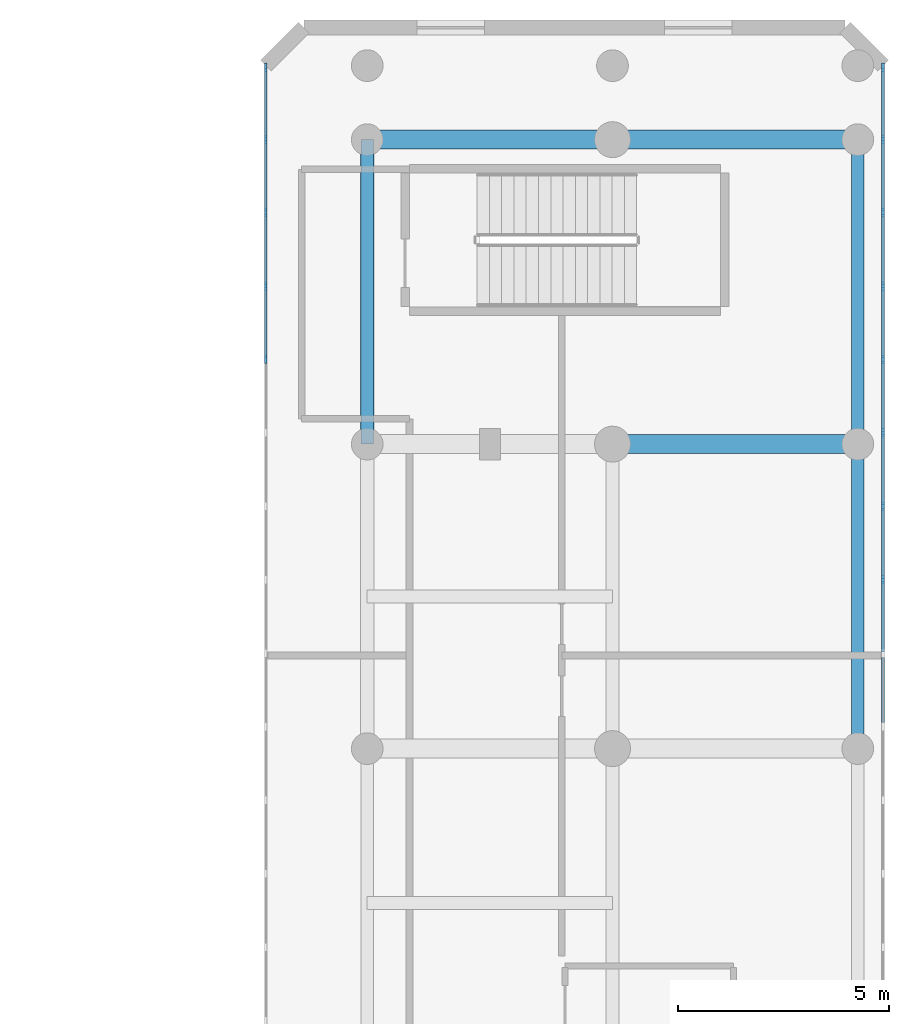
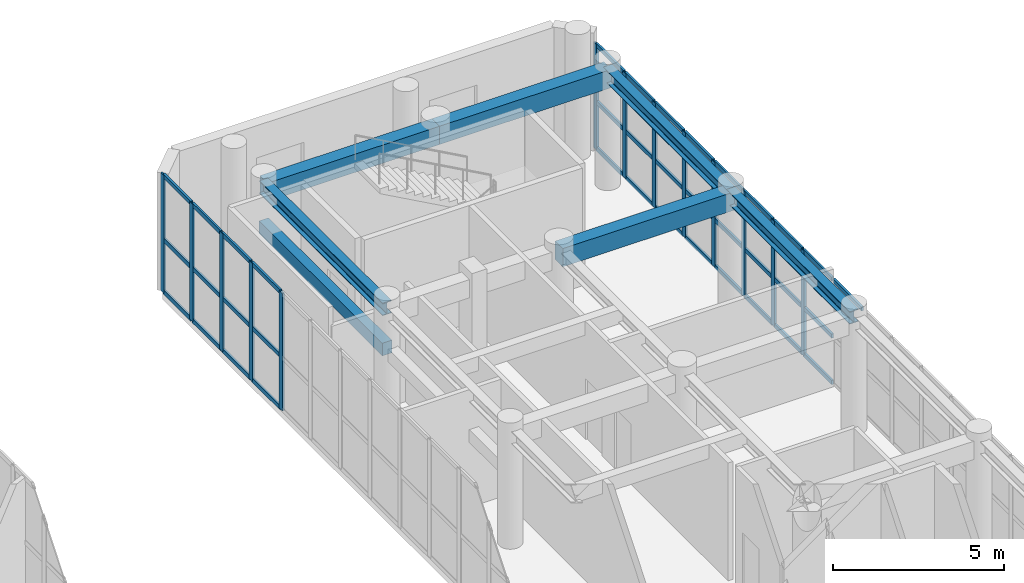
# One storey, part 9 of 26: 50 members, 7 beams, 2 elements without a shape of their own.
"""IFC4 building model written with IfcOpenShell, lengths in metres."""

from ifc_helpers import new_model, si_unit, direction, frame, origin, origin_with_axes, origin_2d, place, context, subcontext, project, spatial, rectangle, i_section, extrude, source, transform, mapped, material, layer, layer_set, material_profile, profile_set, type_object, element, aggregate, save


model = new_model("IFC4")

# Units and contexts
model_context = context("Model", 3, precision=1e-05, world=origin(), true_north=direction((0.0, 1.0)))
body_context = subcontext(model_context, "Body", "Model", "MODEL_VIEW")
ifc_project = project(units=[si_unit("LENGTHUNIT", "METRE"), si_unit("AREAUNIT", "SQUARE_METRE"), si_unit("VOLUMEUNIT", "CUBIC_METRE"), si_unit("PLANEANGLEUNIT", "RADIAN"), si_unit("MASSUNIT", "GRAM", prefix="KILO")], contexts=[model_context])

# Site, building, storey
site_placement = place(None, origin())
site = spatial("IfcSite", under=ifc_project, at=site_placement, CompositionType="ELEMENT")
building_placement = place(site_placement, origin())
building = spatial("IfcBuilding", under=site, at=building_placement, Name="Karkom Vertical University and Central Library", CompositionType="ELEMENT")
storey_placement = place(building_placement, frame((0.0, 0.0, 9.0)))
storey = spatial("IfcBuildingStorey", under=building, at=storey_placement, Name="L02", CompositionType="ELEMENT", Elevation=9.0)

# Beams
ifc_material_1 = material(Name="Concrete C40/50", Category="concrete")
ifc_material_profile_1 = material_profile(ifc_material_1, rectangle(XDim=0.449951171875, YDim=0.64990234375, at=origin_2d()), Name="RCB-450x650")
ifc_profile_set_1 = profile_set([ifc_material_profile_1], Name="Concrete C40/50")
beam_type_1 = type_object("IfcBeamType", Name="STR-BM-BG-4", PredefinedType="USERDEFINED", material=ifc_profile_set_1)
shared_shape_1 = source(origin_with_axes(), body_context, "Body", "SweptSolid", [
    extrude(rectangle(XDim=0.449951171875, YDim=0.64990234375, at=origin_2d()), origin(), (0.0, 0.0, 1.0), 5.7998046875),
])
beam_1_placement = place(storey_placement, frame((69.60009765625, 48.199951171875, 3.875), z_axis=(1.0, 0.0, 0.0), x_axis=(0.0, 1.0, 0.0)))
element("IfcBeam", 1, at=beam_1_placement, inside=storey, type_object=beam_type_1, Name="Level 02 Library Transverse Girder 7.1", ObjectType="GIRDER", PredefinedType="USERDEFINED", context=body_context, shape_type="MappedRepresentation", body=[
    mapped(shared_shape_1, transform((0.0, 0.0, 0.0), scale=1.0)),
])
shared_shape_2 = source(origin_with_axes(), body_context, "Body", "SweptSolid", [
    extrude(rectangle(XDim=0.449951171875, YDim=0.64990234375, at=origin_2d()), origin(), (0.0, 0.0, 1.0), 5.800048828125),
])
for number, where, z_axis, x_axis, name in (
    (2, (75.39990234375, 41.0, 3.875), (1.0, 0.0, 0.0), (0.0, 1.0, 0.0), "Level 02 Library Transverse Girder 6.2"),
    (3, (75.39990234375, 48.199951171875, 3.875), (1.0, 0.0, 0.0), (0.0, 1.0, 0.0), "Level 02 Library Transverse Girder 7.2"),
):
    element("IfcBeam", number, at=place(storey_placement, frame(where, z_axis=z_axis, x_axis=x_axis)), inside=storey, type_object=beam_type_1, Name=name, ObjectType="GIRDER", PredefinedType="USERDEFINED", context=body_context, shape_type="MappedRepresentation", body=[
        mapped(shared_shape_2, transform((0.0, 0.0, 0.0), scale=1.0)),
    ])
ifc_material_2 = material(Name="Steel S355", Category="steel")
ifc_material_profile_2 = material_profile(ifc_material_2, i_section(OverallWidth=0.300048828125, OverallDepth=0.449951171875, WebThickness=0.013916015625, FlangeThickness=0.02587890625, FilletRadius=0.027099609375, at=origin_2d()), Name="HE 450 B")
ifc_profile_set_2 = profile_set([ifc_material_profile_2], Name="Steel S355")
beam_type_2 = type_object("IfcBeamType", Name="STR-BM-SB-HE450", PredefinedType="BEAM", material=ifc_profile_set_2)
shared_shape_3 = source(origin_with_axes(), body_context, "Body", "SweptSolid", [
    extrude(i_section(OverallWidth=0.300048828125, OverallDepth=0.449951171875, WebThickness=0.013916015625, FlangeThickness=0.02587890625, FilletRadius=0.027099609375, at=origin_2d()), origin(), (0.0, 0.0, 1.0), 7.199951171875),
])
for number, where, z_axis, x_axis, name in (
    (4, (69.60009765625, 41.0, 3.97509765625), (0.0, 1.0, 0.0), (-1.0, 0.0, 0.0), "Level 02 Library Longitudinal Beam 1.6"),
    (5, (81.199951171875, 33.800048828125, 3.97509765625), (0.0, 1.0, 0.0), (-1.0, 0.0, 0.0), "Level 02 Library Longitudinal Beam 3.5"),
    (6, (81.199951171875, 41.0, 3.97509765625), (0.0, 1.0, 0.0), (-1.0, 0.0, 0.0), "Level 02 Library Longitudinal Beam 3.6"),
):
    element("IfcBeam", number, at=place(storey_placement, frame(where, z_axis=z_axis, x_axis=x_axis)), inside=storey, type_object=beam_type_2, Name=name, PredefinedType="BEAM", context=body_context, shape_type="MappedRepresentation", body=[
        mapped(shared_shape_3, transform((0.0, 0.0, 0.0), scale=1.0)),
    ])
ifc_material_3 = material(Name="Precast concrete C45/55", Category="concrete")
ifc_material_profile_3 = material_profile(ifc_material_3, rectangle(XDim=0.320068359375, YDim=0.449951171875, at=origin_2d()), Name="RCL-320x450")
ifc_profile_set_3 = profile_set([ifc_material_profile_3], Name="Precast concrete C45/55")
beam_type_3 = type_object("IfcBeamType", Name="STR-BM-LN-1", PredefinedType="LINTEL", material=ifc_profile_set_3)
shared_shape_4 = source(origin_with_axes(), body_context, "Body", "SweptSolid", [
    extrude(rectangle(XDim=0.320068359375, YDim=0.449951171875, at=origin_2d()), origin(), (0.0, 0.0, 1.0), 7.199951171875),
])
beam_2_placement = place(storey_placement, frame((69.60009765625, 41.0, 2.550048828125), z_axis=(0.0, 1.0, 0.0), x_axis=(-1.0, 0.0, 0.0)))
element("IfcBeam", 7, at=beam_2_placement, inside=storey, type_object=beam_type_3, Name="Level 02 Brutalist Concrete Portal Lintel 4", PredefinedType="LINTEL", context=body_context, shape_type="MappedRepresentation", body=[
    mapped(shared_shape_4, transform((0.0, 0.0, 0.0), scale=1.0)),
])

# Curtain wall, members
ifc_material_4 = material(Name="Aluminium curtain-wall framing and low-E IGU", Category="aluminium")
ifc_layer = layer(ifc_material_4, 0.199951171875)
ifc_layer_set = layer_set([ifc_layer], Name="Aluminium curtain-wall framing and low-E IGU")
curtain_wall_type = type_object("IfcCurtainWallType", Name="ENV-CW-1", PredefinedType="USERDEFINED", material=ifc_layer_set)
curtain_wall_1_placement = place(storey_placement, origin())
curtain_wall_1 = element("IfcCurtainWall", 8, at=curtain_wall_1_placement, inside=storey, type_object=curtain_wall_type, Name="Level 02 CW-1 Curtain Wall Level 02-CW-1-LIB-3", ObjectType="STICK MULLION GLAZING", PredefinedType="USERDEFINED")
ifc_material_5 = material(Name="Anodised Aluminium 6063-T6", Category="aluminium")
ifc_material_profile_4 = material_profile(ifc_material_5, rectangle(XDim=0.070068359375, YDim=0.199951171875, at=origin_2d()), Name="ALU-M70x200")
ifc_profile_set_4 = profile_set([ifc_material_profile_4], Name="Anodised Aluminium 6063-T6")
member_type_1 = type_object("IfcMemberType", Name="ENV-MEM-ALU-M70x200", PredefinedType="MULLION", material=ifc_profile_set_4)
shared_shape_5 = source(origin_with_axes(), body_context, "Body", "SweptSolid", [
    extrude(rectangle(XDim=0.070068359375, YDim=0.199951171875, at=origin_2d()), origin(), (0.0, 0.0, 1.0), 3.75),
])
member_1_placement = place(storey_placement, frame((81.800048828125, 37.790771484375, 0.0), z_axis=(0.0, 0.0, 1.0), x_axis=(-1.0, 0.0, 0.0)))
member_1 = element("IfcMember", 9, at=member_1_placement, type_object=member_type_1, Name="CW-1 mullion 21", PredefinedType="MULLION", context=body_context, shape_type="MappedRepresentation", body=[
    mapped(shared_shape_5, transform((0.0, 0.0, 0.0), scale=1.0)),
])
member_2_placement = place(storey_placement, frame((81.800048828125, 39.52783203125, 0.0), z_axis=(0.0, 0.0, 1.0), x_axis=(-1.0, 0.0, 0.0)))
member_2 = element("IfcMember", 10, at=member_2_placement, type_object=member_type_1, Name="CW-1 mullion 22", PredefinedType="MULLION", context=body_context, shape_type="MappedRepresentation", body=[
    mapped(shared_shape_5, transform((0.0, 0.0, 0.0), scale=1.0)),
])
member_3_placement = place(storey_placement, frame((81.800048828125, 41.264892578125, 0.0), z_axis=(0.0, 0.0, 1.0), x_axis=(-1.0, 0.0, 0.0)))
member_3 = element("IfcMember", 11, at=member_3_placement, type_object=member_type_1, Name="CW-1 mullion 23", PredefinedType="MULLION", context=body_context, shape_type="MappedRepresentation", body=[
    mapped(shared_shape_5, transform((0.0, 0.0, 0.0), scale=1.0)),
])
member_4_placement = place(storey_placement, frame((81.800048828125, 43.001953125, 0.0), z_axis=(0.0, 0.0, 1.0), x_axis=(-1.0, 0.0, 0.0)))
member_4 = element("IfcMember", 12, at=member_4_placement, type_object=member_type_1, Name="CW-1 mullion 24", PredefinedType="MULLION", context=body_context, shape_type="MappedRepresentation", body=[
    mapped(shared_shape_5, transform((0.0, 0.0, 0.0), scale=1.0)),
])
member_5_placement = place(storey_placement, frame((81.800048828125, 44.73876953125, 0.0), z_axis=(0.0, 0.0, 1.0), x_axis=(-1.0, 0.0, 0.0)))
member_5 = element("IfcMember", 13, at=member_5_placement, type_object=member_type_1, Name="CW-1 mullion 25", PredefinedType="MULLION", context=body_context, shape_type="MappedRepresentation", body=[
    mapped(shared_shape_5, transform((0.0, 0.0, 0.0), scale=1.0)),
])
member_6_placement = place(storey_placement, frame((81.800048828125, 46.475830078125, 0.0), z_axis=(0.0, 0.0, 1.0), x_axis=(-1.0, 0.0, 0.0)))
member_6 = element("IfcMember", 14, at=member_6_placement, type_object=member_type_1, Name="CW-1 mullion 26", PredefinedType="MULLION", context=body_context, shape_type="MappedRepresentation", body=[
    mapped(shared_shape_5, transform((0.0, 0.0, 0.0), scale=1.0)),
])
member_7_placement = place(storey_placement, frame((81.800048828125, 48.212890625, 0.0), z_axis=(0.0, 0.0, 1.0), x_axis=(-1.0, 0.0, 0.0)))
member_7 = element("IfcMember", 15, at=member_7_placement, type_object=member_type_1, Name="CW-1 mullion 27", PredefinedType="MULLION", context=body_context, shape_type="MappedRepresentation", body=[
    mapped(shared_shape_5, transform((0.0, 0.0, 0.0), scale=1.0)),
])
member_8_placement = place(storey_placement, frame((81.800048828125, 49.9150390625, 0.0), z_axis=(0.0, 0.0, 1.0), x_axis=(-1.0, 0.0, 0.0)))
member_8 = element("IfcMember", 16, at=member_8_placement, type_object=member_type_1, Name="CW-1 mullion 28", PredefinedType="MULLION", context=body_context, shape_type="MappedRepresentation", body=[
    mapped(shared_shape_5, transform((0.0, 0.0, 0.0), scale=1.0)),
])

curtain_wall_2_placement = place(storey_placement, origin())
curtain_wall_2 = element("IfcCurtainWall", 17, at=curtain_wall_2_placement, inside=storey, type_object=curtain_wall_type, Name="Level 02 CW-1 Curtain Wall Level 02-CW-1-LIB-7", ObjectType="STICK MULLION GLAZING", PredefinedType="USERDEFINED")
shared_shape_6 = source(origin_with_axes(), body_context, "Body", "SweptSolid", [
    extrude(rectangle(XDim=0.070068359375, YDim=0.199951171875, at=origin_2d()), origin(), (0.0, 0.0, 1.0), 4.199951171875),
])
member_9_placement = place(storey_placement, frame((67.199951171875, 49.9150390625, 0.0), z_axis=(0.0, 0.0, 1.0), x_axis=(1.0, 0.0, 0.0)))
member_9 = element("IfcMember", 18, at=member_9_placement, type_object=member_type_1, Name="CW-1 mullion 1", PredefinedType="MULLION", context=body_context, shape_type="MappedRepresentation", body=[
    mapped(shared_shape_6, transform((0.0, 0.0, 0.0), scale=1.0)),
])
member_10_placement = place(storey_placement, frame((67.199951171875, 48.212890625, 0.0), z_axis=(0.0, 0.0, 1.0), x_axis=(1.0, 0.0, 0.0)))
member_10 = element("IfcMember", 19, at=member_10_placement, type_object=member_type_1, Name="CW-1 mullion 2", PredefinedType="MULLION", context=body_context, shape_type="MappedRepresentation", body=[
    mapped(shared_shape_6, transform((0.0, 0.0, 0.0), scale=1.0)),
])
member_11_placement = place(storey_placement, frame((67.199951171875, 46.475830078125, 0.0), z_axis=(0.0, 0.0, 1.0), x_axis=(1.0, 0.0, 0.0)))
member_11 = element("IfcMember", 20, at=member_11_placement, type_object=member_type_1, Name="CW-1 mullion 3", PredefinedType="MULLION", context=body_context, shape_type="MappedRepresentation", body=[
    mapped(shared_shape_6, transform((0.0, 0.0, 0.0), scale=1.0)),
])
member_12_placement = place(storey_placement, frame((67.199951171875, 44.73876953125, 0.0), z_axis=(0.0, 0.0, 1.0), x_axis=(1.0, 0.0, 0.0)))
member_12 = element("IfcMember", 21, at=member_12_placement, type_object=member_type_1, Name="CW-1 mullion 4", PredefinedType="MULLION", context=body_context, shape_type="MappedRepresentation", body=[
    mapped(shared_shape_6, transform((0.0, 0.0, 0.0), scale=1.0)),
])
member_13_placement = place(storey_placement, frame((67.199951171875, 43.001953125, 0.0), z_axis=(0.0, 0.0, 1.0), x_axis=(1.0, 0.0, 0.0)))
member_13 = element("IfcMember", 22, at=member_13_placement, type_object=member_type_1, Name="CW-1 mullion 5", PredefinedType="MULLION", context=body_context, shape_type="MappedRepresentation", body=[
    mapped(shared_shape_6, transform((0.0, 0.0, 0.0), scale=1.0)),
])

# Member
ifc_material_profile_5 = material_profile(ifc_material_5, rectangle(XDim=0.070068359375, YDim=0.14990234375, at=origin_2d()), Name="ALU-T70x150")
ifc_profile_set_5 = profile_set([ifc_material_profile_5], Name="Anodised Aluminium 6063-T6")
member_type_2 = type_object("IfcMemberType", Name="ENV-MEM-ALU-T70x150", PredefinedType="USERDEFINED", material=ifc_profile_set_5)
shared_shape_7 = source(origin_with_axes(), body_context, "Body", "SweptSolid", [
    extrude(rectangle(XDim=0.070068359375, YDim=0.14990234375, at=origin_2d()), origin(), (0.0, 0.0, 1.0), 1.6318359375),
])
member_14_placement = place(storey_placement, frame((81.800048828125, 48.248046875, 0.034912109375), z_axis=(0.0, 1.0, 0.0), x_axis=(-1.0, 0.0, 0.0)))
member_14 = element("IfcMember", 23, at=member_14_placement, type_object=member_type_2, Name="CW-1 transom 27.1", ObjectType="TRANSOM", PredefinedType="USERDEFINED", context=body_context, shape_type="MappedRepresentation", body=[
    mapped(shared_shape_7, transform((0.0, 0.0, 0.0), scale=1.0)),
])

member_15_placement = place(storey_placement, frame((81.800048828125, 48.248046875, 1.6875), z_axis=(0.0, 1.0, 0.0), x_axis=(-1.0, 0.0, 0.0)))
member_15 = element("IfcMember", 24, at=member_15_placement, type_object=member_type_2, Name="CW-1 transom 27.2", ObjectType="TRANSOM", PredefinedType="USERDEFINED", context=body_context, shape_type="MappedRepresentation", body=[
    mapped(shared_shape_7, transform((0.0, 0.0, 0.0), scale=1.0)),
])

member_16_placement = place(storey_placement, frame((81.800048828125, 48.248046875, 3.715087890625), z_axis=(0.0, 1.0, 0.0), x_axis=(-1.0, 0.0, 0.0)))
member_16 = element("IfcMember", 25, at=member_16_placement, type_object=member_type_2, Name="CW-1 transom 27.3", ObjectType="TRANSOM", PredefinedType="USERDEFINED", context=body_context, shape_type="MappedRepresentation", body=[
    mapped(shared_shape_7, transform((0.0, 0.0, 0.0), scale=1.0)),
])

member_17_placement = place(storey_placement, frame((67.199951171875, 49.8798828125, 0.034912109375), z_axis=(0.0, -1.0, 0.0), x_axis=(1.0, 0.0, 0.0)))
member_17 = element("IfcMember", 26, at=member_17_placement, type_object=member_type_2, Name="CW-1 transom 1.1", ObjectType="TRANSOM", PredefinedType="USERDEFINED", context=body_context, shape_type="MappedRepresentation", body=[
    mapped(shared_shape_7, transform((0.0, 0.0, 0.0), scale=1.0)),
])

member_18_placement = place(storey_placement, frame((67.199951171875, 49.8798828125, 1.889892578125), z_axis=(0.0, -1.0, 0.0), x_axis=(1.0, 0.0, 0.0)))
member_18 = element("IfcMember", 27, at=member_18_placement, type_object=member_type_2, Name="CW-1 transom 1.2", ObjectType="TRANSOM", PredefinedType="USERDEFINED", context=body_context, shape_type="MappedRepresentation", body=[
    mapped(shared_shape_7, transform((0.0, 0.0, 0.0), scale=1.0)),
])

member_19_placement = place(storey_placement, frame((67.199951171875, 49.8798828125, 4.1650390625), z_axis=(0.0, -1.0, 0.0), x_axis=(1.0, 0.0, 0.0)))
member_19 = element("IfcMember", 28, at=member_19_placement, type_object=member_type_2, Name="CW-1 transom 1.3", ObjectType="TRANSOM", PredefinedType="USERDEFINED", context=body_context, shape_type="MappedRepresentation", body=[
    mapped(shared_shape_7, transform((0.0, 0.0, 0.0), scale=1.0)),
])

shared_shape_8 = source(origin_with_axes(), body_context, "Body", "SweptSolid", [
    extrude(rectangle(XDim=0.070068359375, YDim=0.14990234375, at=origin_2d()), origin(), (0.0, 0.0, 1.0), 1.6669921875),
])
member_20_placement = place(storey_placement, frame((81.800048828125, 37.82568359375, 0.034912109375), z_axis=(0.0, 1.0, 0.0), x_axis=(-1.0, 0.0, 0.0)))
member_20 = element("IfcMember", 29, at=member_20_placement, type_object=member_type_2, Name="CW-1 transom 21.1", ObjectType="TRANSOM", PredefinedType="USERDEFINED", context=body_context, shape_type="MappedRepresentation", body=[
    mapped(shared_shape_8, transform((0.0, 0.0, 0.0), scale=1.0)),
])

member_21_placement = place(storey_placement, frame((81.800048828125, 37.82568359375, 1.6875), z_axis=(0.0, 1.0, 0.0), x_axis=(-1.0, 0.0, 0.0)))
member_21 = element("IfcMember", 30, at=member_21_placement, type_object=member_type_2, Name="CW-1 transom 21.2", ObjectType="TRANSOM", PredefinedType="USERDEFINED", context=body_context, shape_type="MappedRepresentation", body=[
    mapped(shared_shape_8, transform((0.0, 0.0, 0.0), scale=1.0)),
])

member_22_placement = place(storey_placement, frame((81.800048828125, 37.82568359375, 3.715087890625), z_axis=(0.0, 1.0, 0.0), x_axis=(-1.0, 0.0, 0.0)))
member_22 = element("IfcMember", 31, at=member_22_placement, type_object=member_type_2, Name="CW-1 transom 21.3", ObjectType="TRANSOM", PredefinedType="USERDEFINED", context=body_context, shape_type="MappedRepresentation", body=[
    mapped(shared_shape_8, transform((0.0, 0.0, 0.0), scale=1.0)),
])

member_23_placement = place(storey_placement, frame((81.800048828125, 39.562744140625, 0.034912109375), z_axis=(0.0, 1.0, 0.0), x_axis=(-1.0, 0.0, 0.0)))
member_23 = element("IfcMember", 32, at=member_23_placement, type_object=member_type_2, Name="CW-1 transom 22.1", ObjectType="TRANSOM", PredefinedType="USERDEFINED", context=body_context, shape_type="MappedRepresentation", body=[
    mapped(shared_shape_8, transform((0.0, 0.0, 0.0), scale=1.0)),
])

member_24_placement = place(storey_placement, frame((81.800048828125, 39.562744140625, 1.6875), z_axis=(0.0, 1.0, 0.0), x_axis=(-1.0, 0.0, 0.0)))
member_24 = element("IfcMember", 33, at=member_24_placement, type_object=member_type_2, Name="CW-1 transom 22.2", ObjectType="TRANSOM", PredefinedType="USERDEFINED", context=body_context, shape_type="MappedRepresentation", body=[
    mapped(shared_shape_8, transform((0.0, 0.0, 0.0), scale=1.0)),
])

member_25_placement = place(storey_placement, frame((81.800048828125, 39.562744140625, 3.715087890625), z_axis=(0.0, 1.0, 0.0), x_axis=(-1.0, 0.0, 0.0)))
member_25 = element("IfcMember", 34, at=member_25_placement, type_object=member_type_2, Name="CW-1 transom 22.3", ObjectType="TRANSOM", PredefinedType="USERDEFINED", context=body_context, shape_type="MappedRepresentation", body=[
    mapped(shared_shape_8, transform((0.0, 0.0, 0.0), scale=1.0)),
])

member_26_placement = place(storey_placement, frame((81.800048828125, 41.2998046875, 0.034912109375), z_axis=(0.0, 1.0, 0.0), x_axis=(-1.0, 0.0, 0.0)))
member_26 = element("IfcMember", 35, at=member_26_placement, type_object=member_type_2, Name="CW-1 transom 23.1", ObjectType="TRANSOM", PredefinedType="USERDEFINED", context=body_context, shape_type="MappedRepresentation", body=[
    mapped(shared_shape_8, transform((0.0, 0.0, 0.0), scale=1.0)),
])

member_27_placement = place(storey_placement, frame((81.800048828125, 41.2998046875, 1.6875), z_axis=(0.0, 1.0, 0.0), x_axis=(-1.0, 0.0, 0.0)))
member_27 = element("IfcMember", 36, at=member_27_placement, type_object=member_type_2, Name="CW-1 transom 23.2", ObjectType="TRANSOM", PredefinedType="USERDEFINED", context=body_context, shape_type="MappedRepresentation", body=[
    mapped(shared_shape_8, transform((0.0, 0.0, 0.0), scale=1.0)),
])

member_28_placement = place(storey_placement, frame((81.800048828125, 41.2998046875, 3.715087890625), z_axis=(0.0, 1.0, 0.0), x_axis=(-1.0, 0.0, 0.0)))
member_28 = element("IfcMember", 37, at=member_28_placement, type_object=member_type_2, Name="CW-1 transom 23.3", ObjectType="TRANSOM", PredefinedType="USERDEFINED", context=body_context, shape_type="MappedRepresentation", body=[
    mapped(shared_shape_8, transform((0.0, 0.0, 0.0), scale=1.0)),
])

member_29_placement = place(storey_placement, frame((81.800048828125, 43.036865234375, 0.034912109375), z_axis=(0.0, 1.0, 0.0), x_axis=(-1.0, 0.0, 0.0)))
member_29 = element("IfcMember", 38, at=member_29_placement, type_object=member_type_2, Name="CW-1 transom 24.1", ObjectType="TRANSOM", PredefinedType="USERDEFINED", context=body_context, shape_type="MappedRepresentation", body=[
    mapped(shared_shape_8, transform((0.0, 0.0, 0.0), scale=1.0)),
])

member_30_placement = place(storey_placement, frame((81.800048828125, 43.036865234375, 1.6875), z_axis=(0.0, 1.0, 0.0), x_axis=(-1.0, 0.0, 0.0)))
member_30 = element("IfcMember", 39, at=member_30_placement, type_object=member_type_2, Name="CW-1 transom 24.2", ObjectType="TRANSOM", PredefinedType="USERDEFINED", context=body_context, shape_type="MappedRepresentation", body=[
    mapped(shared_shape_8, transform((0.0, 0.0, 0.0), scale=1.0)),
])

member_31_placement = place(storey_placement, frame((81.800048828125, 43.036865234375, 3.715087890625), z_axis=(0.0, 1.0, 0.0), x_axis=(-1.0, 0.0, 0.0)))
member_31 = element("IfcMember", 40, at=member_31_placement, type_object=member_type_2, Name="CW-1 transom 24.3", ObjectType="TRANSOM", PredefinedType="USERDEFINED", context=body_context, shape_type="MappedRepresentation", body=[
    mapped(shared_shape_8, transform((0.0, 0.0, 0.0), scale=1.0)),
])

member_32_placement = place(storey_placement, frame((81.800048828125, 44.77392578125, 0.034912109375), z_axis=(0.0, 1.0, 0.0), x_axis=(-1.0, 0.0, 0.0)))
member_32 = element("IfcMember", 41, at=member_32_placement, type_object=member_type_2, Name="CW-1 transom 25.1", ObjectType="TRANSOM", PredefinedType="USERDEFINED", context=body_context, shape_type="MappedRepresentation", body=[
    mapped(shared_shape_8, transform((0.0, 0.0, 0.0), scale=1.0)),
])

member_33_placement = place(storey_placement, frame((81.800048828125, 44.77392578125, 1.6875), z_axis=(0.0, 1.0, 0.0), x_axis=(-1.0, 0.0, 0.0)))
member_33 = element("IfcMember", 42, at=member_33_placement, type_object=member_type_2, Name="CW-1 transom 25.2", ObjectType="TRANSOM", PredefinedType="USERDEFINED", context=body_context, shape_type="MappedRepresentation", body=[
    mapped(shared_shape_8, transform((0.0, 0.0, 0.0), scale=1.0)),
])

member_34_placement = place(storey_placement, frame((81.800048828125, 44.77392578125, 3.715087890625), z_axis=(0.0, 1.0, 0.0), x_axis=(-1.0, 0.0, 0.0)))
member_34 = element("IfcMember", 43, at=member_34_placement, type_object=member_type_2, Name="CW-1 transom 25.3", ObjectType="TRANSOM", PredefinedType="USERDEFINED", context=body_context, shape_type="MappedRepresentation", body=[
    mapped(shared_shape_8, transform((0.0, 0.0, 0.0), scale=1.0)),
])

member_35_placement = place(storey_placement, frame((81.800048828125, 46.510986328125, 0.034912109375), z_axis=(0.0, 1.0, 0.0), x_axis=(-1.0, 0.0, 0.0)))
member_35 = element("IfcMember", 44, at=member_35_placement, type_object=member_type_2, Name="CW-1 transom 26.1", ObjectType="TRANSOM", PredefinedType="USERDEFINED", context=body_context, shape_type="MappedRepresentation", body=[
    mapped(shared_shape_8, transform((0.0, 0.0, 0.0), scale=1.0)),
])

member_36_placement = place(storey_placement, frame((81.800048828125, 46.510986328125, 1.6875), z_axis=(0.0, 1.0, 0.0), x_axis=(-1.0, 0.0, 0.0)))
member_36 = element("IfcMember", 45, at=member_36_placement, type_object=member_type_2, Name="CW-1 transom 26.2", ObjectType="TRANSOM", PredefinedType="USERDEFINED", context=body_context, shape_type="MappedRepresentation", body=[
    mapped(shared_shape_8, transform((0.0, 0.0, 0.0), scale=1.0)),
])

member_37_placement = place(storey_placement, frame((81.800048828125, 46.510986328125, 3.715087890625), z_axis=(0.0, 1.0, 0.0), x_axis=(-1.0, 0.0, 0.0)))
member_37 = element("IfcMember", 46, at=member_37_placement, type_object=member_type_2, Name="CW-1 transom 26.3", ObjectType="TRANSOM", PredefinedType="USERDEFINED", context=body_context, shape_type="MappedRepresentation", body=[
    mapped(shared_shape_8, transform((0.0, 0.0, 0.0), scale=1.0)),
])

member_38_placement = place(storey_placement, frame((67.199951171875, 48.177978515625, 0.034912109375), z_axis=(0.0, -1.0, 0.0), x_axis=(1.0, 0.0, 0.0)))
member_38 = element("IfcMember", 47, at=member_38_placement, type_object=member_type_2, Name="CW-1 transom 2.1", ObjectType="TRANSOM", PredefinedType="USERDEFINED", context=body_context, shape_type="MappedRepresentation", body=[
    mapped(shared_shape_8, transform((0.0, 0.0, 0.0), scale=1.0)),
])

member_39_placement = place(storey_placement, frame((67.199951171875, 48.177978515625, 1.889892578125), z_axis=(0.0, -1.0, 0.0), x_axis=(1.0, 0.0, 0.0)))
member_39 = element("IfcMember", 48, at=member_39_placement, type_object=member_type_2, Name="CW-1 transom 2.2", ObjectType="TRANSOM", PredefinedType="USERDEFINED", context=body_context, shape_type="MappedRepresentation", body=[
    mapped(shared_shape_8, transform((0.0, 0.0, 0.0), scale=1.0)),
])

member_40_placement = place(storey_placement, frame((67.199951171875, 48.177978515625, 4.1650390625), z_axis=(0.0, -1.0, 0.0), x_axis=(1.0, 0.0, 0.0)))
member_40 = element("IfcMember", 49, at=member_40_placement, type_object=member_type_2, Name="CW-1 transom 2.3", ObjectType="TRANSOM", PredefinedType="USERDEFINED", context=body_context, shape_type="MappedRepresentation", body=[
    mapped(shared_shape_8, transform((0.0, 0.0, 0.0), scale=1.0)),
])

member_41_placement = place(storey_placement, frame((67.199951171875, 46.44091796875, 0.034912109375), z_axis=(0.0, -1.0, 0.0), x_axis=(1.0, 0.0, 0.0)))
member_41 = element("IfcMember", 50, at=member_41_placement, type_object=member_type_2, Name="CW-1 transom 3.1", ObjectType="TRANSOM", PredefinedType="USERDEFINED", context=body_context, shape_type="MappedRepresentation", body=[
    mapped(shared_shape_8, transform((0.0, 0.0, 0.0), scale=1.0)),
])

member_42_placement = place(storey_placement, frame((67.199951171875, 46.44091796875, 1.889892578125), z_axis=(0.0, -1.0, 0.0), x_axis=(1.0, 0.0, 0.0)))
member_42 = element("IfcMember", 51, at=member_42_placement, type_object=member_type_2, Name="CW-1 transom 3.2", ObjectType="TRANSOM", PredefinedType="USERDEFINED", context=body_context, shape_type="MappedRepresentation", body=[
    mapped(shared_shape_8, transform((0.0, 0.0, 0.0), scale=1.0)),
])

member_43_placement = place(storey_placement, frame((67.199951171875, 46.44091796875, 4.1650390625), z_axis=(0.0, -1.0, 0.0), x_axis=(1.0, 0.0, 0.0)))
member_43 = element("IfcMember", 52, at=member_43_placement, type_object=member_type_2, Name="CW-1 transom 3.3", ObjectType="TRANSOM", PredefinedType="USERDEFINED", context=body_context, shape_type="MappedRepresentation", body=[
    mapped(shared_shape_8, transform((0.0, 0.0, 0.0), scale=1.0)),
])

member_44_placement = place(storey_placement, frame((67.199951171875, 44.703857421875, 0.034912109375), z_axis=(0.0, -1.0, 0.0), x_axis=(1.0, 0.0, 0.0)))
member_44 = element("IfcMember", 53, at=member_44_placement, type_object=member_type_2, Name="CW-1 transom 4.1", ObjectType="TRANSOM", PredefinedType="USERDEFINED", context=body_context, shape_type="MappedRepresentation", body=[
    mapped(shared_shape_8, transform((0.0, 0.0, 0.0), scale=1.0)),
])

member_45_placement = place(storey_placement, frame((67.199951171875, 44.703857421875, 1.889892578125), z_axis=(0.0, -1.0, 0.0), x_axis=(1.0, 0.0, 0.0)))
member_45 = element("IfcMember", 54, at=member_45_placement, type_object=member_type_2, Name="CW-1 transom 4.2", ObjectType="TRANSOM", PredefinedType="USERDEFINED", context=body_context, shape_type="MappedRepresentation", body=[
    mapped(shared_shape_8, transform((0.0, 0.0, 0.0), scale=1.0)),
])

member_46_placement = place(storey_placement, frame((67.199951171875, 44.703857421875, 4.1650390625), z_axis=(0.0, -1.0, 0.0), x_axis=(1.0, 0.0, 0.0)))
member_46 = element("IfcMember", 55, at=member_46_placement, type_object=member_type_2, Name="CW-1 transom 4.3", ObjectType="TRANSOM", PredefinedType="USERDEFINED", context=body_context, shape_type="MappedRepresentation", body=[
    mapped(shared_shape_8, transform((0.0, 0.0, 0.0), scale=1.0)),
])

aggregate(curtain_wall_2, [member_9, member_10, member_11, member_12, member_13, member_17, member_18, member_19, member_38, member_39, member_40, member_41, member_42, member_43, member_44, member_45, member_46])

shared_shape_9 = source(origin_with_axes(), body_context, "Body", "SweptSolid", [
    extrude(rectangle(XDim=0.070068359375, YDim=0.14990234375, at=origin_2d()), origin(), (0.0, 0.0, 1.0), 1.667236328125),
])
member_47_placement = place(storey_placement, frame((81.800048828125, 34.3515625, 3.715087890625), z_axis=(0.0, 1.0, 0.0), x_axis=(-1.0, 0.0, 0.0)))
member_47 = element("IfcMember", 56, at=member_47_placement, type_object=member_type_2, Name="CW-1 transom 19.3", ObjectType="TRANSOM", PredefinedType="USERDEFINED", context=body_context, shape_type="MappedRepresentation", body=[
    mapped(shared_shape_9, transform((0.0, 0.0, 0.0), scale=1.0)),
])

member_48_placement = place(storey_placement, frame((81.800048828125, 36.088623046875, 0.034912109375), z_axis=(0.0, 1.0, 0.0), x_axis=(-1.0, 0.0, 0.0)))
member_48 = element("IfcMember", 57, at=member_48_placement, type_object=member_type_2, Name="CW-1 transom 20.1", ObjectType="TRANSOM", PredefinedType="USERDEFINED", context=body_context, shape_type="MappedRepresentation", body=[
    mapped(shared_shape_9, transform((0.0, 0.0, 0.0), scale=1.0)),
])

member_49_placement = place(storey_placement, frame((81.800048828125, 36.088623046875, 1.6875), z_axis=(0.0, 1.0, 0.0), x_axis=(-1.0, 0.0, 0.0)))
member_49 = element("IfcMember", 58, at=member_49_placement, type_object=member_type_2, Name="CW-1 transom 20.2", ObjectType="TRANSOM", PredefinedType="USERDEFINED", context=body_context, shape_type="MappedRepresentation", body=[
    mapped(shared_shape_9, transform((0.0, 0.0, 0.0), scale=1.0)),
])

member_50_placement = place(storey_placement, frame((81.800048828125, 36.088623046875, 3.715087890625), z_axis=(0.0, 1.0, 0.0), x_axis=(-1.0, 0.0, 0.0)))
member_50 = element("IfcMember", 59, at=member_50_placement, type_object=member_type_2, Name="CW-1 transom 20.3", ObjectType="TRANSOM", PredefinedType="USERDEFINED", context=body_context, shape_type="MappedRepresentation", body=[
    mapped(shared_shape_9, transform((0.0, 0.0, 0.0), scale=1.0)),
])

aggregate(curtain_wall_1, [member_1, member_2, member_3, member_4, member_5, member_6, member_7, member_8, member_47, member_48, member_49, member_50, member_20, member_21, member_22, member_23, member_24, member_25, member_26, member_27, member_28, member_29, member_30, member_31, member_32, member_33, member_34, member_35, member_36, member_37, member_14, member_15, member_16])

save(model, "model.ifc")
